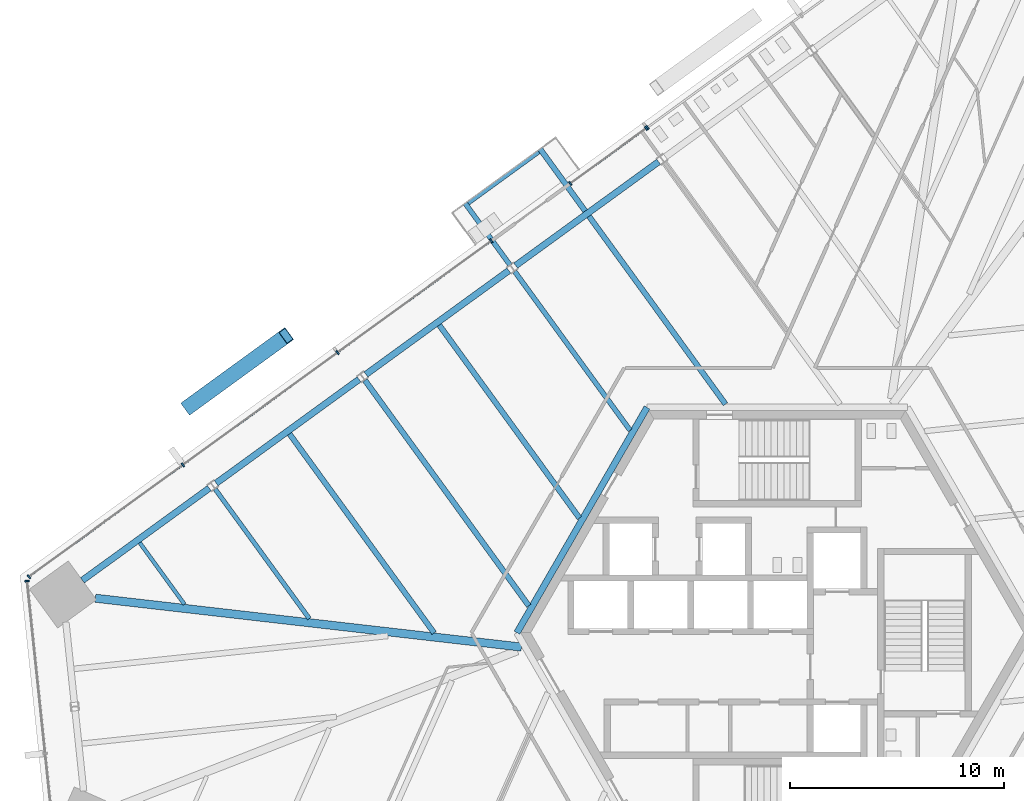
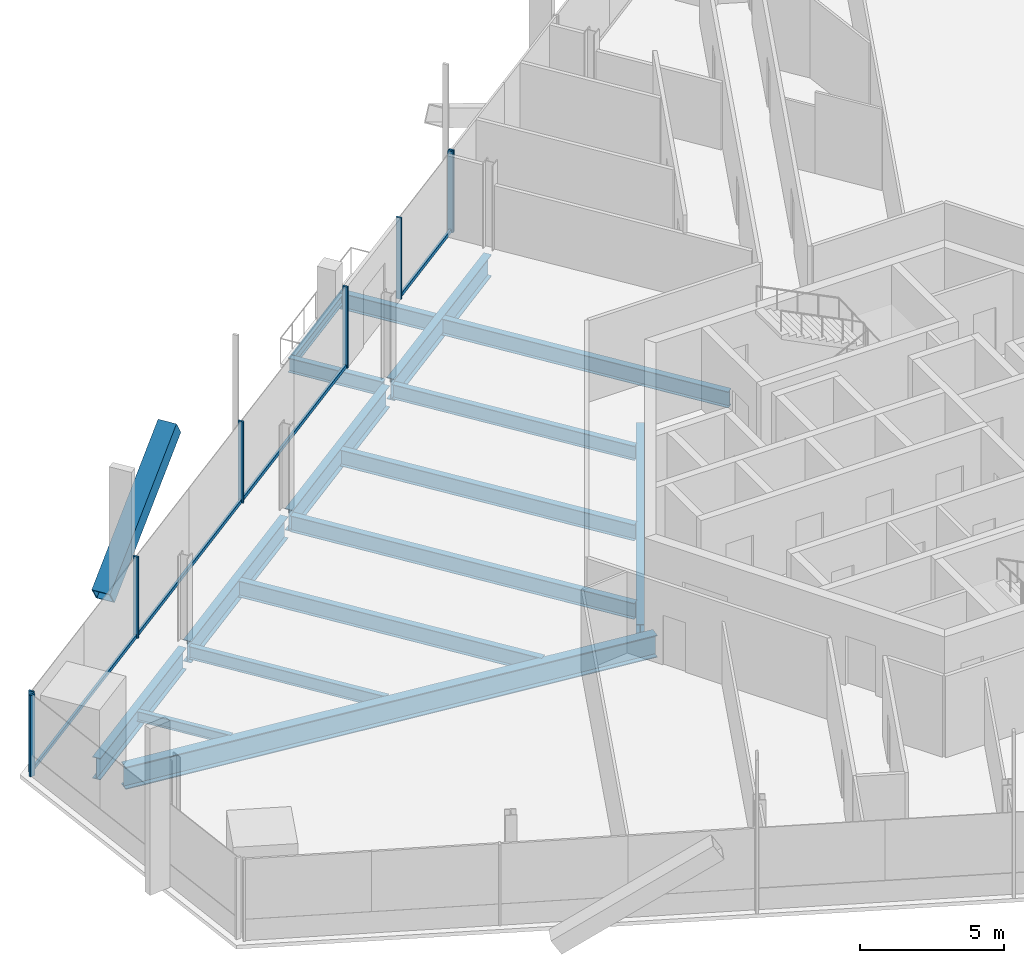
# One storey, part 7 of 21: 16 beams, 13 members, 4 elements without a shape of their own.
"""IFC4 building model written with IfcOpenShell, lengths in metres."""

import ifcopenshell
import ifcopenshell.guid

model = None  # the IFC model being written
_history = None  # IfcOwnerHistory: only IFC2X3 demands one
_inside = {}  # id of a spatial element -> (the spatial element, [elements in it])
_under = {}  # id of a project, library or spatial element -> (it, [spatial elements below it])
_declared = {}  # id of a project -> (the project, [libraries it declares])
_typed = {}  # id of a type object -> (the type object, [elements of that type])
_made_of = {}  # id of a material, layer set ... -> (it, [elements and type objects made of it])


def new_model(schema):
    """Start an empty IFC model of exactly this schema.

    Asked for "IFC4X3", IfcOpenShell would pick the latest addendum, in which some entities
    have other attributes; the version numbers below select the first issue.
    IFC2X3 requires an IfcOwnerHistory on every rooted entity: one is made here for all.
    """
    global model, _history
    if schema == "IFC4X3":
        model = ifcopenshell.file(schema_version=(4, 3, 0, 0))
    else:
        model = ifcopenshell.file(schema=schema)
    _inside.clear()
    _under.clear()
    _declared.clear()
    _typed.clear()
    _made_of.clear()
    _history = None
    if model.schema == "IFC2X3":
        org = make("IfcOrganization", Name="unknown")
        user = make(
            "IfcPersonAndOrganization",
            ThePerson=make("IfcPerson", FamilyName="unknown"),
            TheOrganization=org,
        )
        app = make(
            "IfcApplication",
            ApplicationDeveloper=org,
            Version="unknown",
            ApplicationFullName="unknown",
            ApplicationIdentifier="unknown",
        )
        _history = make(
            "IfcOwnerHistory",
            OwningUser=user,
            OwningApplication=app,
            ChangeAction="ADDED",
            CreationDate=0,
        )
    return model


def make(cls, **values):
    """One entity of the class cls with the attributes given. An attribute that is None is left unset."""
    return model.create_entity(
        cls, **{name: value for name, value in values.items() if value is not None}
    )


def rooted(cls, **values):
    """An entity with a GlobalId (a new one), such as an element, a storey or a relation."""
    return make(cls, GlobalId=ifcopenshell.guid.new(), OwnerHistory=_history, **values)


def si_unit(unit_type, name, prefix=None):
    """IfcSIUnit, for example si_unit("LENGTHUNIT", "METRE", prefix="MILLI")."""
    return make("IfcSIUnit", UnitType=unit_type, Prefix=prefix, Name=name)


def assignment(units):
    """IfcUnitAssignment: the units of a project."""
    return None if units is None else make("IfcUnitAssignment", Units=units)


def point(xyz):
    """IfcCartesianPoint."""
    return None if xyz is None else make("IfcCartesianPoint", Coordinates=xyz)


def direction(xyz):
    """IfcDirection."""
    return None if xyz is None else make("IfcDirection", DirectionRatios=xyz)


def frame(location, z_axis=None, x_axis=None):
    """IfcAxis2Placement3D, a coordinate frame: its origin and axes. An axis left out is left unset."""
    return make(
        "IfcAxis2Placement3D",
        Location=point(location),
        Axis=direction(z_axis),
        RefDirection=direction(x_axis),
    )


def frame_2d(location, x_axis=None):
    """IfcAxis2Placement2D, a coordinate frame in the plane: its origin and x axis."""
    return make(
        "IfcAxis2Placement2D", Location=point(location), RefDirection=direction(x_axis)
    )


def origin():
    """The frame at (0, 0, 0) with its axes left unset."""
    return frame((0.0, 0.0, 0.0))


def origin_2d():
    """The frame at (0, 0) in the plane with its x axis left unset."""
    return frame_2d((0.0, 0.0))


def place(relative_to, where):
    """IfcLocalPlacement: puts the frame where relative to a parent placement (None: the world)."""
    return make(
        "IfcLocalPlacement", PlacementRelTo=relative_to, RelativePlacement=where
    )


def context(
    kind, dimensions, precision=None, world=None, true_north=None, identifier=None
):
    """IfcGeometricRepresentationContext, for example the 3D "Model" context."""
    return make(
        "IfcGeometricRepresentationContext",
        ContextIdentifier=identifier,
        ContextType=kind,
        CoordinateSpaceDimension=dimensions,
        Precision=precision,
        WorldCoordinateSystem=world,
        TrueNorth=true_north,
    )


def subcontext(parent, identifier, kind, view, scale=None):
    """IfcGeometricRepresentationSubContext, for example "Body" below "Model"."""
    return make(
        "IfcGeometricRepresentationSubContext",
        ContextIdentifier=identifier,
        ContextType=kind,
        ParentContext=parent,
        TargetScale=scale,
        TargetView=view,
    )


def project(units=None, contexts=None):
    """IfcProject with its units and contexts."""
    return rooted(
        "IfcProject",
        Name="project",
        RepresentationContexts=contexts,
        UnitsInContext=assignment(units),
    )


def spatial(cls, under=None, at=None, **own):
    """A site, building, storey or space (cls), placed at a placement, below another one or the project."""
    s = rooted(cls, ObjectPlacement=at, **own)
    if under is not None:
        _under.setdefault(under.id(), (under, []))[1].append(s)
    return s


def profile(cls, at=None, kind="AREA", **sizes):
    """A parametric profile (cls). Its sizes go by their IFC names, for example OverallWidth=200.0."""
    return make(cls, ProfileType=kind, Position=at, **sizes)


def rectangle(**sizes):
    """IfcRectangleProfileDef."""
    return profile("IfcRectangleProfileDef", **sizes)


def hollow_rectangle(**sizes):
    """IfcRectangleHollowProfileDef."""
    return profile("IfcRectangleHollowProfileDef", **sizes)


def i_section(**sizes):
    """IfcIShapeProfileDef."""
    return profile("IfcIShapeProfileDef", **sizes)


def extrude(swept, where, along, depth):
    """IfcExtrudedAreaSolid: the profile swept, set in the frame where, extruded along a direction by depth."""
    return make(
        "IfcExtrudedAreaSolid",
        SweptArea=swept,
        Position=where,
        ExtrudedDirection=direction(along),
        Depth=depth,
    )


def shape(context_of_items, identifier, shape_type, items):
    """IfcShapeRepresentation: the items that make up one representation, for example the "Body"."""
    return make(
        "IfcShapeRepresentation",
        ContextOfItems=context_of_items,
        RepresentationIdentifier=identifier,
        RepresentationType=shape_type,
        Items=items,
    )


def source(mapping_origin, context_of_items, identifier, shape_type, items):
    """IfcRepresentationMap: a shape defined once, which mapped items show again and again."""
    return make(
        "IfcRepresentationMap",
        MappingOrigin=mapping_origin,
        MappedRepresentation=shape(context_of_items, identifier, shape_type, items),
    )


def transform(
    local_origin,
    x_axis=None,
    y_axis=None,
    z_axis=None,
    scale=None,
    scale2=None,
    scale3=None,
    uniform=True,
):
    """IfcCartesianTransformationOperator3D, or its non-uniform kind. x_axis, y_axis, z_axis: its Axis1, 2, 3."""
    if uniform:
        return make(
            "IfcCartesianTransformationOperator3D",
            Axis1=direction(x_axis),
            Axis2=direction(y_axis),
            LocalOrigin=point(local_origin),
            Scale=scale,
            Axis3=direction(z_axis),
        )
    return make(
        "IfcCartesianTransformationOperator3DnonUniform",
        Axis1=direction(x_axis),
        Axis2=direction(y_axis),
        LocalOrigin=point(local_origin),
        Scale=scale,
        Axis3=direction(z_axis),
        Scale2=scale2,
        Scale3=scale3,
    )


def mapped(mapping_source, mapping_target):
    """IfcMappedItem: shows the shape of a source again, moved by a transform."""
    return make(
        "IfcMappedItem", MappingSource=mapping_source, MappingTarget=mapping_target
    )


def material(Name=None, Category=None):
    """IfcMaterial."""
    return make("IfcMaterial", Name=Name, Category=Category)


def material_profile(
    of_material, cross_section, Name=None, Category=None, Priority=None
):
    """IfcMaterialProfile: a cross section and its material."""
    return make(
        "IfcMaterialProfile",
        Name=Name,
        Material=of_material,
        Profile=cross_section,
        Priority=Priority,
        Category=Category,
    )


def profile_set(profiles, Name=None, composite=None):
    """IfcMaterialProfileSet."""
    return make(
        "IfcMaterialProfileSet",
        Name=Name,
        MaterialProfiles=profiles,
        CompositeProfile=composite,
    )


def made_of(thing, what):
    """Note that an element or type object is made of a material, layer set ...; save() writes the relation."""
    if what is not None:
        _made_of.setdefault(what.id(), (what, []))[1].append(thing)
    return thing


def type_object(cls, material=None, **own):
    """A type object (cls), such as IfcWallType, which elements share."""
    return made_of(rooted(cls, **own), material)


def element(
    cls,
    number,
    at=None,
    inside=None,
    cuts=None,
    type_object=None,
    material=None,
    context=None,
    identifier="Body",
    shape_type=None,
    held_by="IfcProductDefinitionShape",
    body=None,
    shapes=None,
    **own,
):
    """One element of the class cls, such as IfcWall. Its Tag is "e" and its number.

    at: its placement. inside: the storey or other place that contains it. cuts: it is an
    opening in that element (IfcRelVoidsElement). A single representation is given by context,
    identifier, shape_type and body (its items); several are given by shapes. held_by: the class
    of the entity that holds the representations. save() writes the other relations.
    """
    e = rooted(cls, Tag="e%d" % number, ObjectPlacement=at, **own)
    if body is not None:
        shapes = [shape(context, identifier, shape_type, body)]
    if shapes is not None:
        e.Representation = make(held_by, Representations=shapes)
    if inside is not None:
        _inside.setdefault(inside.id(), (inside, []))[1].append(e)
    if cuts is not None:
        rooted(
            "IfcRelVoidsElement", RelatingBuildingElement=cuts, RelatedOpeningElement=e
        )
    if type_object is not None:
        _typed.setdefault(type_object.id(), (type_object, []))[1].append(e)
    return made_of(e, material)


def aggregate(whole, parts):
    """IfcRelAggregates: a whole, such as a stair, and the parts it consists of."""
    return rooted("IfcRelAggregates", RelatingObject=whole, RelatedObjects=parts)


def save(model, path):
    """Write the relations noted so far, then the file.

    IfcRelAggregates (storeys below a building ...), IfcRelContainedInSpatialStructure (elements
    in a storey), IfcRelDefinesByType, IfcRelAssociatesMaterial and IfcRelDeclares: one each for
    every whole, place, type object, material and project.
    """
    for whole, parts in _under.values():
        aggregate(whole, parts)
    for where, things in _inside.values():
        rooted(
            "IfcRelContainedInSpatialStructure",
            RelatedElements=things,
            RelatingStructure=where,
        )
    for kind, things in _typed.values():
        rooted("IfcRelDefinesByType", RelatedObjects=things, RelatingType=kind)
    for what, things in _made_of.values():
        rooted("IfcRelAssociatesMaterial", RelatedObjects=things, RelatingMaterial=what)
    for by, libraries in _declared.values():
        rooted("IfcRelDeclares", RelatingContext=by, RelatedDefinitions=libraries)
    model.write(path)


model = new_model("IFC4")

# Units and contexts
model_context = context("Model", 3, precision=1e-05, world=origin(), true_north=direction((0.0, 1.0)))
body_context = subcontext(model_context, "Body", "Model", "MODEL_VIEW")
ifc_project = project(units=[si_unit("LENGTHUNIT", "METRE"), si_unit("AREAUNIT", "SQUARE_METRE"), si_unit("VOLUMEUNIT", "CUBIC_METRE"), si_unit("PLANEANGLEUNIT", "RADIAN"), si_unit("MASSUNIT", "GRAM", prefix="KILO")], contexts=[model_context])

# Site, building, storey
site_placement = place(None, origin())
site = spatial("IfcSite", under=ifc_project, at=site_placement, CompositionType="ELEMENT")
building_placement = place(site_placement, origin())
building = spatial("IfcBuilding", under=site, at=building_placement, Name="Triune Harvest Tower", CompositionType="ELEMENT")
storey_placement = place(building_placement, frame((0.0, 0.0, 65.699951171875)))
storey = spatial("IfcBuildingStorey", under=building, at=storey_placement, Name="L15", CompositionType="ELEMENT", Elevation=65.699951171875)

# Curtain wall, member
ifc_material_1 = material(Name="Aluminium bronze anodised", Category="aluminium")
curtain_wall_type_1 = type_object("IfcCurtainWallType", Name="CW-6 Balcony window wall", PredefinedType="NOTDEFINED", material=ifc_material_1)
curtain_wall_1_placement = place(storey_placement, origin())
curtain_wall_1 = element("IfcCurtainWall", 1, at=curtain_wall_1_placement, inside=storey, type_object=curtain_wall_type_1, Name="CW-6 B2-F3 L15 run 1001")
ifc_material_2 = material(Name="Aluminium bronze anodised", Category="aluminium")
ifc_material_profile_1 = material_profile(ifc_material_2, rectangle(XDim=0.090087890625, YDim=0.14990234375, at=origin_2d()), Name="TR-6 transom 90 x 150")
ifc_profile_set_1 = profile_set([ifc_material_profile_1], Name="Aluminium bronze anodised")
member_type_1 = type_object("IfcMemberType", Name="TR-6 transom 90 x 150", PredefinedType="USERDEFINED", material=ifc_profile_set_1)
member_1_placement = place(storey_placement, frame((-6.158935546875, 23.581298828125, 0.074951171875), z_axis=(-0.809007420266, -0.587798429697, 0.0), x_axis=(0.587798429697, -0.809007420266, 0.0)))
member_1 = element("IfcMember", 2, at=member_1_placement, type_object=member_type_1, Name="CW-6 transom B2-F3 1001.1", ObjectType="TRANSOM", PredefinedType="USERDEFINED", context=body_context, shape_type="SweptSolid", body=[
    extrude(rectangle(XDim=0.090087890625, YDim=0.14990234375, at=origin_2d()), origin(), (0.0, 0.0, 1.0), 4.317626953125),
])

# Curtain wall, members
curtain_wall_2_placement = place(storey_placement, origin())
curtain_wall_2 = element("IfcCurtainWall", 3, at=curtain_wall_2_placement, inside=storey, type_object=curtain_wall_type_1, Name="CW-6 B2-F3 L15 run 2")
member_2_placement = place(storey_placement, frame((-20.605224609375, 13.08544921875, 0.074951171875), z_axis=(-0.809014630499, -0.587788505875, 0.0), x_axis=(0.587788505875, -0.809014630499, 0.0)))
member_2 = element("IfcMember", 4, at=member_2_placement, type_object=member_type_1, Name="CW-6 transom B2-F3 2.2", ObjectType="TRANSOM", PredefinedType="USERDEFINED", context=body_context, shape_type="SweptSolid", body=[
    extrude(rectangle(XDim=0.090087890625, YDim=0.14990234375, at=origin_2d()), origin(), (0.0, 0.0, 1.0), 8.8662109375),
])
member_3_placement = place(storey_placement, frame((-27.8388671875, 7.829833984375, 0.074951171875), z_axis=(-0.809017016162, -0.587785222305, 0.0), x_axis=(0.587785222305, -0.809017016162, 0.0)))
member_3 = element("IfcMember", 5, at=member_3_placement, type_object=member_type_1, Name="CW-6 transom B2-F3 2.3", ObjectType="TRANSOM", PredefinedType="USERDEFINED", context=body_context, shape_type="SweptSolid", body=[
    extrude(rectangle(XDim=0.090087890625, YDim=0.14990234375, at=origin_2d()), origin(), (0.0, 0.0, 1.0), 8.828369140625),
])

# Beams
ifc_material_3 = material(Name="Steel ASTM A992 Gr 50", Category="steel")
ifc_material_profile_2 = material_profile(ifc_material_3, i_section(OverallWidth=0.3046875, OverallDepth=0.914306640625, WebThickness=0.0166015625, FlangeThickness=0.02587890625, at=origin_2d()), Name="W36x160")
ifc_profile_set_2 = profile_set([ifc_material_profile_2], Name="Steel ASTM A992 Gr 50")
beam_type_1 = type_object("IfcBeamType", Name="CG-1 Core ring girder W36x160", PredefinedType="BEAM", material=ifc_profile_set_2)
shared_shape_1 = source(origin(), body_context, "Body", "SweptSolid", [
    extrude(i_section(OverallWidth=0.3046875, OverallDepth=0.914306640625, WebThickness=0.0166015625, FlangeThickness=0.02587890625, at=origin_2d()), origin(), (0.0, 0.0, 1.0), 12.176025390625),
])
beam_1_placement = place(storey_placement, frame((-6.087890625, 10.544677734375, -0.6171875), z_axis=(-0.5000099932, -0.866019634131, 0.0), x_axis=(0.866019634131, -0.5000099932, 0.0)))
element("IfcBeam", 6, at=beam_1_placement, inside=storey, type_object=beam_type_1, Name="beam/L15/CG3", PredefinedType="BEAM", context=body_context, shape_type="MappedRepresentation", body=[
    mapped(shared_shape_1, transform((0.0, 0.0, 0.0), scale=1.0)),
])
ifc_material_4 = material(Name="Steel ASTM A992 Gr 50", Category="steel")
ifc_material_profile_3 = material_profile(ifc_material_4, i_section(OverallWidth=0.3046875, OverallDepth=0.914306640625, WebThickness=0.0166015625, FlangeThickness=0.02587890625, at=origin_2d()), Name="W36x160")
ifc_profile_set_3 = profile_set([ifc_material_profile_3], Name="Steel ASTM A992 Gr 50")
beam_type_2 = type_object("IfcBeamType", Name="SB-1 Spandrel beam W36x160", PredefinedType="SPANDREL", material=ifc_profile_set_3)
shared_shape_2 = source(origin(), body_context, "Body", "SweptSolid", [
    extrude(i_section(OverallWidth=0.3046875, OverallDepth=0.914306640625, WebThickness=0.0166015625, FlangeThickness=0.02587890625, at=origin_2d()), origin(), (0.0, 0.0, 1.0), 7.337890625),
])
beam_2_placement = place(storey_placement, frame((-26.574951171875, 6.763916015625, -0.6171875), z_axis=(-0.80902661548, -0.58777200975, 0.0), x_axis=(0.58777200975, -0.80902661548, 0.0)))
element("IfcBeam", 7, at=beam_2_placement, inside=storey, type_object=beam_type_2, Name="beam/L15/SB14", PredefinedType="SPANDREL", context=body_context, shape_type="MappedRepresentation", body=[
    mapped(shared_shape_2, transform((0.0, 0.0, 0.0), scale=1.0)),
])
shared_shape_3 = source(origin(), body_context, "Body", "SweptSolid", [
    extrude(i_section(OverallWidth=0.3046875, OverallDepth=0.914306640625, WebThickness=0.0166015625, FlangeThickness=0.02587890625, at=origin_2d()), origin(), (0.0, 0.0, 1.0), 8.263427734375),
])
for number, where, z_axis, x_axis, name in (
    (8, (-5.55126953125, 22.03857421875, -0.6171875), (-0.809015786763, -0.587786914424, 0.0), (0.587786914424, -0.809015786763, 0.0), "beam/L15/SB11"),
    (9, (-12.55908203125, 16.947021484375, -0.6171875), (-0.809015786763, -0.587786914424, 0.0), (0.587786914424, -0.809015786763, 0.0), "beam/L15/SB12"),
    (10, (-19.56689453125, 11.85546875, -0.6171875), (-0.809015786763, -0.587786914424, 0.0), (0.587786914424, -0.809015786763, 0.0), "beam/L15/SB13"),
):
    element("IfcBeam", number, at=place(storey_placement, frame(where, z_axis=z_axis, x_axis=x_axis)), inside=storey, type_object=beam_type_2, Name=name, PredefinedType="SPANDREL", context=body_context, shape_type="MappedRepresentation", body=[
        mapped(shared_shape_3, transform((0.0, 0.0, 0.0), scale=1.0)),
    ])
ifc_material_5 = material(Name="Steel ASTM A992 Gr 50", Category="steel")
ifc_material_profile_4 = material_profile(ifc_material_5, i_section(OverallWidth=0.383544921875, OverallDepth=0.9423828125, WebThickness=0.022216796875, FlangeThickness=0.039794921875, at=origin_2d()), Name="W36x232")
ifc_profile_set_4 = profile_set([ifc_material_profile_4], Name="Steel ASTM A992 Gr 50")
beam_type_3 = type_object("IfcBeamType", Name="HG-1 Hip girder W36x232", PredefinedType="BEAM", material=ifc_profile_set_4)
shared_shape_4 = source(origin(), body_context, "Body", "SweptSolid", [
    extrude(i_section(OverallWidth=0.383544921875, OverallDepth=0.9423828125, WebThickness=0.022216796875, FlangeThickness=0.039794921875, at=origin_2d()), origin(), (0.0, 0.0, 1.0), 20.070556640625),
])
beam_3_placement = place(storey_placement, frame((-31.904541015625, 1.61572265625, -0.631103515625), z_axis=(0.993487545287, -0.113940762503, 0.0), x_axis=(0.113940762503, 0.993487545287, 0.0)))
element("IfcBeam", 11, at=beam_3_placement, inside=storey, type_object=beam_type_3, Name="beam/L15/HG5", PredefinedType="BEAM", context=body_context, shape_type="MappedRepresentation", body=[
    mapped(shared_shape_4, transform((0.0, 0.0, 0.0), scale=1.0)),
])
ifc_material_6 = material(Name="Steel ASTM A992 Gr 50", Category="steel")
ifc_material_profile_5 = material_profile(ifc_material_6, i_section(OverallWidth=0.22900390625, OverallDepth=0.612060546875, WebThickness=0.011962890625, FlangeThickness=0.01953125, at=origin_2d()), Name="W24x84")
ifc_profile_set_5 = profile_set([ifc_material_profile_5], Name="Steel ASTM A992 Gr 50")
beam_type_4 = type_object("IfcBeamType", Name="JT-3 Floor joist W24x84", PredefinedType="JOIST", material=ifc_profile_set_5)
shared_shape_5 = source(origin(), body_context, "Body", "SweptSolid", [
    extrude(i_section(OverallWidth=0.22900390625, OverallDepth=0.612060546875, WebThickness=0.011962890625, FlangeThickness=0.01953125, at=origin_2d()), origin(), (0.0, 0.0, 1.0), 9.186279296875),
])
beam_4_placement = place(storey_placement, frame((-12.2822265625, 16.905029296875, -0.466064453125), z_axis=(0.58779079947, -0.809012964085, 0.0), x_axis=(0.809012964085, 0.58779079947, 0.0)))
element("IfcBeam", 12, at=beam_4_placement, inside=storey, type_object=beam_type_4, Name="beam/L15/JT19", PredefinedType="JOIST", context=body_context, shape_type="MappedRepresentation", body=[
    mapped(shared_shape_5, transform((0.0, 0.0, 0.0), scale=1.0)),
])
ifc_material_7 = material(Name="Steel ASTM A992 Gr 50", Category="steel")
ifc_material_profile_6 = material_profile(ifc_material_7, i_section(OverallWidth=0.253662109375, OverallDepth=0.683349609375, WebThickness=0.012451171875, FlangeThickness=0.01904296875, at=origin_2d()), Name="W27x94")
ifc_profile_set_6 = profile_set([ifc_material_profile_6], Name="Steel ASTM A992 Gr 50")
beam_type_5 = type_object("IfcBeamType", Name="JT-4 Floor joist W27x94", PredefinedType="JOIST", material=ifc_profile_set_6)
shared_shape_6 = source(origin(), body_context, "Body", "SweptSolid", [
    extrude(i_section(OverallWidth=0.253662109375, OverallDepth=0.683349609375, WebThickness=0.012451171875, FlangeThickness=0.01904296875, at=origin_2d()), origin(), (0.0, 0.0, 1.0), 11.158935546875),
])
beam_5_placement = place(storey_placement, frame((-15.812255859375, 14.395263671875, -0.50146484375), z_axis=(0.58778396925, -0.809017926558, 0.0), x_axis=(0.809017926558, 0.58778396925, 0.0)))
element("IfcBeam", 13, at=beam_5_placement, inside=storey, type_object=beam_type_5, Name="beam/L15/JT20", PredefinedType="JOIST", context=body_context, shape_type="MappedRepresentation", body=[
    mapped(shared_shape_6, transform((0.0, 0.0, 0.0), scale=1.0)),
])
shared_shape_7 = source(origin(), body_context, "Body", "SweptSolid", [
    extrude(i_section(OverallWidth=0.253662109375, OverallDepth=0.683349609375, WebThickness=0.012451171875, FlangeThickness=0.01904296875, at=origin_2d()), origin(), (0.0, 0.0, 1.0), 10.86474609375),
])
beam_6_placement = place(storey_placement, frame((-8.804443359375, 19.48681640625, -0.50146484375), z_axis=(0.587789508047, -0.809013902371, 0.0), x_axis=(0.809013902371, 0.587789508047, 0.0)))
element("IfcBeam", 14, at=beam_6_placement, inside=storey, type_object=beam_type_5, Name="beam/L15/JT18", PredefinedType="JOIST", context=body_context, shape_type="MappedRepresentation", body=[
    mapped(shared_shape_7, transform((0.0, 0.0, 0.0), scale=1.0)),
])
shared_shape_8 = source(origin(), body_context, "Body", "SweptSolid", [
    extrude(i_section(OverallWidth=0.253662109375, OverallDepth=0.683349609375, WebThickness=0.012451171875, FlangeThickness=0.01904296875, at=origin_2d()), origin(), (0.0, 0.0, 1.0), 13.042724609375),
])
beam_7_placement = place(storey_placement, frame((-19.2900390625, 11.8134765625, -0.50146484375), z_axis=(0.587795444635, -0.809009589107, 0.0), x_axis=(0.809009589107, 0.587795444635, 0.0)))
element("IfcBeam", 15, at=beam_7_placement, inside=storey, type_object=beam_type_5, Name="beam/L15/JT21", PredefinedType="JOIST", context=body_context, shape_type="MappedRepresentation", body=[
    mapped(shared_shape_8, transform((0.0, 0.0, 0.0), scale=1.0)),
])
shared_shape_9 = source(origin(), body_context, "Body", "SweptSolid", [
    extrude(i_section(OverallWidth=0.253662109375, OverallDepth=0.683349609375, WebThickness=0.012451171875, FlangeThickness=0.01904296875, at=origin_2d()), origin(), (0.0, 0.0, 1.0), 11.511474609375),
])
beam_8_placement = place(storey_placement, frame((-22.820068359375, 9.3037109375, -0.50146484375), z_axis=(0.587775656534, -0.809023966015, 0.0), x_axis=(0.809023966015, 0.587775656534, 0.0)))
element("IfcBeam", 16, at=beam_8_placement, inside=storey, type_object=beam_type_5, Name="beam/L15/JT22", PredefinedType="JOIST", context=body_context, shape_type="MappedRepresentation", body=[
    mapped(shared_shape_9, transform((0.0, 0.0, 0.0), scale=1.0)),
])
ifc_material_8 = material(Name="Steel ASTM A992 Gr 50", Category="steel")
ifc_material_profile_7 = material_profile(ifc_material_8, i_section(OverallWidth=0.2099609375, OverallDepth=0.535888671875, WebThickness=0.010986328125, FlangeThickness=0.017333984375, at=origin_2d()), Name="W21x68")
ifc_profile_set_7 = profile_set([ifc_material_profile_7], Name="Steel ASTM A992 Gr 50")
beam_type_6 = type_object("IfcBeamType", Name="JT-2 Floor joist W21x68", PredefinedType="JOIST", material=ifc_profile_set_7)
shared_shape_10 = source(origin(), body_context, "Body", "SweptSolid", [
    extrude(i_section(OverallWidth=0.2099609375, OverallDepth=0.535888671875, WebThickness=0.010986328125, FlangeThickness=0.017333984375, at=origin_2d()), origin(), (0.0, 0.0, 1.0), 7.4921875),
])
beam_9_placement = place(storey_placement, frame((-26.2978515625, 6.721923828125, -0.427978515625), z_axis=(0.587787996274, -0.809015000748, 0.0), x_axis=(0.809015000748, 0.587787996274, 0.0)))
element("IfcBeam", 17, at=beam_9_placement, inside=storey, type_object=beam_type_6, Name="beam/L15/JT23", PredefinedType="JOIST", context=body_context, shape_type="MappedRepresentation", body=[
    mapped(shared_shape_10, transform((0.0, 0.0, 0.0), scale=1.0)),
])
ifc_material_9 = material(Name="Steel ASTM A992 Gr 50", Category="steel")
ifc_material_profile_8 = material_profile(ifc_material_9, i_section(OverallWidth=0.180908203125, OverallDepth=0.41650390625, WebThickness=0.010986328125, FlangeThickness=0.01806640625, at=origin_2d()), Name="W16x57")
ifc_profile_set_8 = profile_set([ifc_material_profile_8], Name="Steel ASTM A992 Gr 50")
beam_type_7 = type_object("IfcBeamType", Name="JT-1 Floor joist W16x57", PredefinedType="JOIST", material=ifc_profile_set_8)
shared_shape_11 = source(origin(), body_context, "Body", "SweptSolid", [
    extrude(i_section(OverallWidth=0.180908203125, OverallDepth=0.41650390625, WebThickness=0.010986328125, FlangeThickness=0.01806640625, at=origin_2d()), origin(), (0.0, 0.0, 1.0), 3.561767578125),
])
beam_10_placement = place(storey_placement, frame((-29.827880859375, 4.212158203125, -0.3681640625), z_axis=(0.587768138852, -0.80902942774, 0.0), x_axis=(0.80902942774, 0.587768138852, 0.0)))
element("IfcBeam", 18, at=beam_10_placement, inside=storey, type_object=beam_type_7, Name="beam/L15/JT24", PredefinedType="JOIST", context=body_context, shape_type="MappedRepresentation", body=[
    mapped(shared_shape_11, transform((0.0, 0.0, 0.0), scale=1.0)),
])

# Member
ifc_material_10 = material(Name="Steel ASTM A572 Gr 50", Category="steel")
ifc_material_profile_9 = material_profile(ifc_material_10, hollow_rectangle(XDim=0.699951171875, YDim=0.699951171875, WallThickness=0.0400390625, at=origin_2d()), Name="Box 700x700x40")
ifc_profile_set_9 = profile_set([ifc_material_profile_9], Name="Steel ASTM A572 Gr 50")
member_type_2 = type_object("IfcMemberType", Name="BR-1 Brace Box 700x700x40", PredefinedType="BRACE", material=ifc_profile_set_9)
shared_shape_12 = source(origin(), body_context, "Body", "SweptSolid", [
    extrude(hollow_rectangle(XDim=0.699951171875, YDim=0.699951171875, WallThickness=0.0400390625, at=origin_2d()), origin(), (0.0, 0.0, 1.0), 6.702392578125),
])
member_4_placement = place(storey_placement, frame((-27.553466796875, 10.5712890625, 0.0), z_axis=(0.682402930681, 0.495793012144, 0.537136415919), x_axis=(-0.587783903514, 0.809017974318, 0.0)))
element("IfcMember", 19, at=member_4_placement, inside=storey, type_object=member_type_2, Name="brace/B2-F3/d2/3", PredefinedType="BRACE", context=body_context, shape_type="MappedRepresentation", body=[
    mapped(shared_shape_12, transform((0.0, 0.0, 0.0), scale=1.0)),
])

# Curtain wall, member
ifc_material_11 = material(Name="Aluminium bronze anodised", Category="aluminium")
curtain_wall_type_2 = type_object("IfcCurtainWallType", Name="CW-1 Tower stick curtain wall", PredefinedType="NOTDEFINED", material=ifc_material_11)
curtain_wall_3_placement = place(storey_placement, origin())
curtain_wall_3 = element("IfcCurtainWall", 20, at=curtain_wall_3_placement, inside=storey, type_object=curtain_wall_type_2, Name="CW-1 B2-F4 L15 run 1")
ifc_material_12 = material(Name="Aluminium bronze anodised", Category="aluminium")
ifc_material_profile_10 = material_profile(ifc_material_12, rectangle(XDim=0.199951171875, YDim=0.074951171875, at=origin_2d()), Name="MU-1 mullion 75 x 200")
ifc_profile_set_10 = profile_set([ifc_material_profile_10], Name="Aluminium bronze anodised")
member_type_3 = type_object("IfcMemberType", Name="MU-1 mullion 75 x 200", PredefinedType="MULLION", material=ifc_profile_set_10)
shared_shape_13 = source(origin(), body_context, "Body", "SweptSolid", [
    extrude(rectangle(XDim=0.199951171875, YDim=0.074951171875, at=origin_2d()), origin(), (0.0, 0.0, 1.0), 3.43994140625),
])
member_5_placement = place(storey_placement, frame((-35.1015625, 2.416748046875, 0.0), z_axis=(0.0, 0.0, 1.0), x_axis=(0.994521790334, 0.104529462601, 0.0)))
member_5 = element("IfcMember", 21, at=member_5_placement, type_object=member_type_3, Name="CW-1 mullion B2-F4 1.1", PredefinedType="MULLION", context=body_context, shape_type="MappedRepresentation", body=[
    mapped(shared_shape_13, transform((0.0, 0.0, 0.0), scale=1.0)),
])
aggregate(curtain_wall_3, [member_5])

ifc_material_13 = material(Name="Aluminium bronze anodised", Category="aluminium")
curtain_wall_type_3 = type_object("IfcCurtainWallType", Name="CW-10 Balcony window wall with insulated spandrel infill", PredefinedType="NOTDEFINED", material=ifc_material_13)
curtain_wall_4_placement = place(storey_placement, origin())
curtain_wall_4 = element("IfcCurtainWall", 22, at=curtain_wall_4_placement, inside=storey, type_object=curtain_wall_type_3, Name="CW-10 B2-F3 L15 run 1")
ifc_material_14 = material(Name="Aluminium bronze anodised", Category="aluminium")
ifc_material_profile_11 = material_profile(ifc_material_14, rectangle(XDim=0.199951171875, YDim=0.074951171875, at=origin_2d()), Name="MU-6 mullion 75 x 200")
ifc_profile_set_11 = profile_set([ifc_material_profile_11], Name="Aluminium bronze anodised")
member_type_4 = type_object("IfcMemberType", Name="MU-6 mullion 75 x 200", PredefinedType="MULLION", material=ifc_profile_set_11)
shared_shape_14 = source(origin(), body_context, "Body", "SweptSolid", [
    extrude(rectangle(XDim=0.199951171875, YDim=0.074951171875, at=origin_2d()), origin(), (0.0, 0.0, 1.0), 3.43994140625),
])
member_6_placement = place(storey_placement, frame((-6.06787109375, 23.6474609375, 0.0), z_axis=(0.0, 0.0, 1.0), x_axis=(0.587784950618, -0.809017213554, 0.0)))
member_6 = element("IfcMember", 23, at=member_6_placement, type_object=member_type_4, Name="CW-10 mullion B2-F3 1.5", PredefinedType="MULLION", context=body_context, shape_type="MappedRepresentation", body=[
    mapped(shared_shape_14, transform((0.0, 0.0, 0.0), scale=1.0)),
])
aggregate(curtain_wall_4, [member_6])

# Member
member_7_placement = place(storey_placement, frame((-6.12841796875, 23.603271484375, 0.0), z_axis=(0.0, 0.0, 1.0), x_axis=(0.587786327785, -0.809016212983, 0.0)))
member_7 = element("IfcMember", 24, at=member_7_placement, type_object=member_type_4, Name="CW-6 mullion B2-F3 1001.1", PredefinedType="MULLION", context=body_context, shape_type="MappedRepresentation", body=[
    mapped(shared_shape_14, transform((0.0, 0.0, 0.0), scale=1.0)),
])

member_8_placement = place(storey_placement, frame((-9.68212890625, 21.021484375, 0.0), z_axis=(0.0, 0.0, 1.0), x_axis=(0.587786327785, -0.809016212983, 0.0)))
member_8 = element("IfcMember", 25, at=member_8_placement, type_object=member_type_4, Name="CW-6 mullion B2-F3 1001.2", PredefinedType="MULLION", context=body_context, shape_type="MappedRepresentation", body=[
    mapped(shared_shape_14, transform((0.0, 0.0, 0.0), scale=1.0)),
])

aggregate(curtain_wall_1, [member_7, member_8, member_1])

member_9_placement = place(storey_placement, frame((-13.371826171875, 18.3408203125, 0.0), z_axis=(0.0, 0.0, 1.0), x_axis=(0.587785226043, -0.809017013446, 0.0)))
member_9 = element("IfcMember", 26, at=member_9_placement, type_object=member_type_4, Name="CW-6 mullion B2-F3 2.1", PredefinedType="MULLION", context=body_context, shape_type="MappedRepresentation", body=[
    mapped(shared_shape_14, transform((0.0, 0.0, 0.0), scale=1.0)),
])

member_10_placement = place(storey_placement, frame((-20.574951171875, 13.107421875, 0.0), z_axis=(0.0, 0.0, 1.0), x_axis=(0.587785226043, -0.809017013446, 0.0)))
member_10 = element("IfcMember", 27, at=member_10_placement, type_object=member_type_4, Name="CW-6 mullion B2-F3 2.3", PredefinedType="MULLION", context=body_context, shape_type="MappedRepresentation", body=[
    mapped(shared_shape_14, transform((0.0, 0.0, 0.0), scale=1.0)),
])

member_11_placement = place(storey_placement, frame((-27.808349609375, 7.85205078125, 0.0), z_axis=(0.0, 0.0, 1.0), x_axis=(0.587785226043, -0.809017013446, 0.0)))
member_11 = element("IfcMember", 28, at=member_11_placement, type_object=member_type_4, Name="CW-6 mullion B2-F3 2.5", PredefinedType="MULLION", context=body_context, shape_type="MappedRepresentation", body=[
    mapped(shared_shape_14, transform((0.0, 0.0, 0.0), scale=1.0)),
])

member_12_placement = place(storey_placement, frame((-35.01171875, 2.61865234375, 0.0), z_axis=(0.0, 0.0, 1.0), x_axis=(0.587785226043, -0.809017013446, 0.0)))
member_12 = element("IfcMember", 29, at=member_12_placement, type_object=member_type_4, Name="CW-6 mullion B2-F3 2.7", PredefinedType="MULLION", context=body_context, shape_type="MappedRepresentation", body=[
    mapped(shared_shape_14, transform((0.0, 0.0, 0.0), scale=1.0)),
])

# Beams
ifc_material_15 = material(Name="Steel ASTM A992 Gr 50", Category="steel")
ifc_material_profile_12 = material_profile(ifc_material_15, i_section(OverallWidth=0.253662109375, OverallDepth=0.683349609375, WebThickness=0.012451171875, FlangeThickness=0.01904296875, at=origin_2d()), Name="W27x94")
ifc_profile_set_12 = profile_set([ifc_material_profile_12], Name="Steel ASTM A992 Gr 50")
beam_type_8 = type_object("IfcBeamType", Name="BJ-4 Balcony cantilever joist W27x94", PredefinedType="JOIST", material=ifc_profile_set_12)
shared_shape_15 = source(origin(), body_context, "Body", "SweptSolid", [
    extrude(i_section(OverallWidth=0.253662109375, OverallDepth=0.683349609375, WebThickness=0.012451171875, FlangeThickness=0.01904296875, at=origin_2d()), origin(), (0.0, 0.0, 1.0), 3.59765625),
])
beam_11_placement = place(storey_placement, frame((-8.9833984375, 19.7333984375, -0.50146484375), z_axis=(-0.587824627924, 0.80898838484, 0.0), x_axis=(-0.80898838484, -0.587824627924, 0.0)))
element("IfcBeam", 30, at=beam_11_placement, inside=storey, type_object=beam_type_8, Name="Balcony cantilever joist B2-F3 L15.6a", PredefinedType="JOIST", context=body_context, shape_type="MappedRepresentation", body=[
    mapped(shared_shape_15, transform((0.0, 0.0, 0.0), scale=1.0)),
])
ifc_material_16 = material(Name="Steel ASTM A992 Gr 50", Category="steel")
ifc_material_profile_13 = material_profile(ifc_material_16, i_section(OverallWidth=0.22900390625, OverallDepth=0.612060546875, WebThickness=0.011962890625, FlangeThickness=0.01953125, at=origin_2d()), Name="W24x84")
ifc_profile_set_13 = profile_set([ifc_material_profile_13], Name="Steel ASTM A992 Gr 50")
beam_type_9 = type_object("IfcBeamType", Name="BJ-3 Balcony cantilever joist W24x84", PredefinedType="JOIST", material=ifc_profile_set_13)
shared_shape_16 = source(origin(), body_context, "Body", "SweptSolid", [
    extrude(i_section(OverallWidth=0.22900390625, OverallDepth=0.612060546875, WebThickness=0.011962890625, FlangeThickness=0.01953125, at=origin_2d()), origin(), (0.0, 0.0, 1.0), 3.59765625),
])
beam_12_placement = place(storey_placement, frame((-12.487548828125, 17.1875, -0.466064453125), z_axis=(-0.587747941481, 0.809044100951, 0.0), x_axis=(-0.809044100951, -0.587747941481, 0.0)))
element("IfcBeam", 31, at=beam_12_placement, inside=storey, type_object=beam_type_9, Name="Balcony cantilever joist B2-F3 L15.6b", PredefinedType="JOIST", context=body_context, shape_type="MappedRepresentation", body=[
    mapped(shared_shape_16, transform((0.0, 0.0, 0.0), scale=1.0)),
])
ifc_material_17 = material(Name="Steel ASTM A992 Gr 50", Category="steel")
ifc_material_profile_14 = material_profile(ifc_material_17, i_section(OverallWidth=0.180908203125, OverallDepth=0.41650390625, WebThickness=0.010986328125, FlangeThickness=0.01806640625, at=origin_2d()), Name="W16x57")
ifc_profile_set_14 = profile_set([ifc_material_profile_14], Name="Steel ASTM A992 Gr 50")
beam_type_10 = type_object("IfcBeamType", Name="BE-1 balcony edge beam W16x57", PredefinedType="BEAM", material=ifc_profile_set_14)
shared_shape_17 = source(origin(), body_context, "Body", "SweptSolid", [
    extrude(i_section(OverallWidth=0.180908203125, OverallDepth=0.41650390625, WebThickness=0.010986328125, FlangeThickness=0.01806640625, at=origin_2d()), origin(), (0.0, 0.0, 1.0), 4.089599609375),
])
beam_13_placement = place(storey_placement, frame((-14.456298828125, 20.09228515625, -0.3681640625), z_axis=(0.809019956337, 0.587781175479, 0.0), x_axis=(-0.587781175479, 0.809019956337, 0.0)))
element("IfcBeam", 32, at=beam_13_placement, inside=storey, type_object=beam_type_10, Name="Balcony edge beam B2-F3 L15.6", PredefinedType="BEAM", context=body_context, shape_type="MappedRepresentation", body=[
    mapped(shared_shape_17, transform((0.0, 0.0, 0.0), scale=1.0)),
])

# Member
shared_shape_18 = source(origin(), body_context, "Body", "SweptSolid", [
    extrude(rectangle(XDim=0.090087890625, YDim=0.14990234375, at=origin_2d()), origin(), (0.0, 0.0, 1.0), 8.828857421875),
])
member_13_placement = place(storey_placement, frame((-13.402099609375, 18.31884765625, 0.074951171875), z_axis=(-0.809013420252, -0.587790171619, 0.0), x_axis=(0.587790171619, -0.809013420252, 0.0)))
member_13 = element("IfcMember", 33, at=member_13_placement, type_object=member_type_1, Name="CW-6 transom B2-F3 2.1", ObjectType="TRANSOM", PredefinedType="USERDEFINED", context=body_context, shape_type="MappedRepresentation", body=[
    mapped(shared_shape_18, transform((0.0, 0.0, 0.0), scale=1.0)),
])

aggregate(curtain_wall_2, [member_9, member_10, member_11, member_12, member_13, member_2, member_3])

save(model, "model.ifc")
